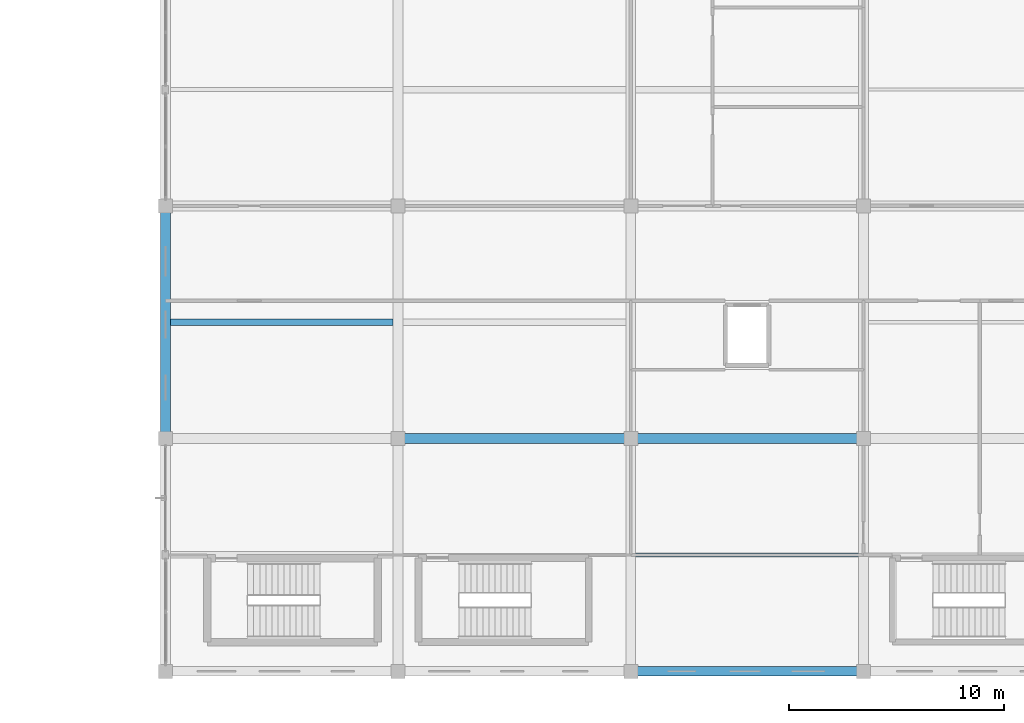
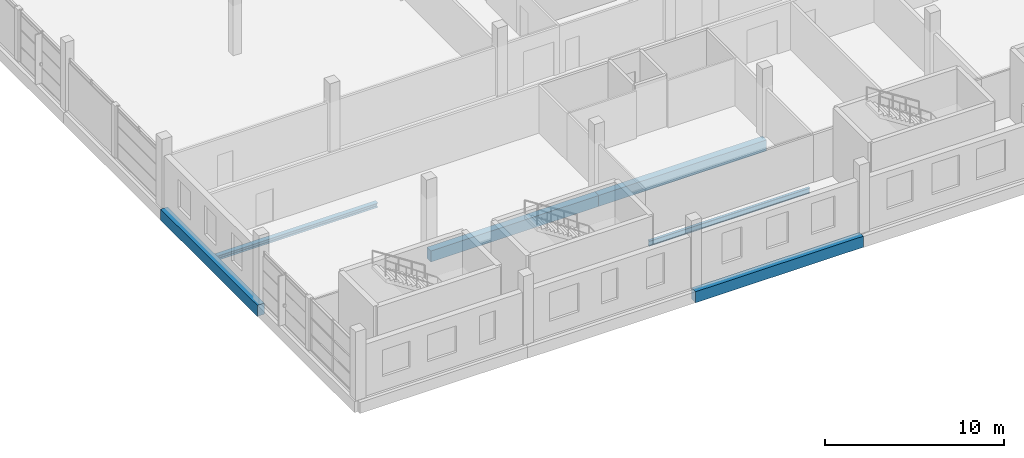
# One storey, part 4 of 24: 6 beams.
"""IFC4 building model written with IfcOpenShell, lengths in metres."""

import ifcopenshell
import ifcopenshell.guid

model = None  # the IFC model being written
_history = None  # IfcOwnerHistory: only IFC2X3 demands one
_inside = {}  # id of a spatial element -> (the spatial element, [elements in it])
_under = {}  # id of a project, library or spatial element -> (it, [spatial elements below it])
_declared = {}  # id of a project -> (the project, [libraries it declares])
_typed = {}  # id of a type object -> (the type object, [elements of that type])
_made_of = {}  # id of a material, layer set ... -> (it, [elements and type objects made of it])


def new_model(schema):
    """Start an empty IFC model of exactly this schema.

    Asked for "IFC4X3", IfcOpenShell would pick the latest addendum, in which some entities
    have other attributes; the version numbers below select the first issue.
    IFC2X3 requires an IfcOwnerHistory on every rooted entity: one is made here for all.
    """
    global model, _history
    if schema == "IFC4X3":
        model = ifcopenshell.file(schema_version=(4, 3, 0, 0))
    else:
        model = ifcopenshell.file(schema=schema)
    _inside.clear()
    _under.clear()
    _declared.clear()
    _typed.clear()
    _made_of.clear()
    _history = None
    if model.schema == "IFC2X3":
        org = make("IfcOrganization", Name="unknown")
        user = make(
            "IfcPersonAndOrganization",
            ThePerson=make("IfcPerson", FamilyName="unknown"),
            TheOrganization=org,
        )
        app = make(
            "IfcApplication",
            ApplicationDeveloper=org,
            Version="unknown",
            ApplicationFullName="unknown",
            ApplicationIdentifier="unknown",
        )
        _history = make(
            "IfcOwnerHistory",
            OwningUser=user,
            OwningApplication=app,
            ChangeAction="ADDED",
            CreationDate=0,
        )
    return model


def make(cls, **values):
    """One entity of the class cls with the attributes given. An attribute that is None is left unset."""
    return model.create_entity(
        cls, **{name: value for name, value in values.items() if value is not None}
    )


def rooted(cls, **values):
    """An entity with a GlobalId (a new one), such as an element, a storey or a relation."""
    return make(cls, GlobalId=ifcopenshell.guid.new(), OwnerHistory=_history, **values)


def si_unit(unit_type, name, prefix=None):
    """IfcSIUnit, for example si_unit("LENGTHUNIT", "METRE", prefix="MILLI")."""
    return make("IfcSIUnit", UnitType=unit_type, Prefix=prefix, Name=name)


def assignment(units):
    """IfcUnitAssignment: the units of a project."""
    return None if units is None else make("IfcUnitAssignment", Units=units)


def point(xyz):
    """IfcCartesianPoint."""
    return None if xyz is None else make("IfcCartesianPoint", Coordinates=xyz)


def direction(xyz):
    """IfcDirection."""
    return None if xyz is None else make("IfcDirection", DirectionRatios=xyz)


def frame(location, z_axis=None, x_axis=None):
    """IfcAxis2Placement3D, a coordinate frame: its origin and axes. An axis left out is left unset."""
    return make(
        "IfcAxis2Placement3D",
        Location=point(location),
        Axis=direction(z_axis),
        RefDirection=direction(x_axis),
    )


def frame_2d(location, x_axis=None):
    """IfcAxis2Placement2D, a coordinate frame in the plane: its origin and x axis."""
    return make(
        "IfcAxis2Placement2D", Location=point(location), RefDirection=direction(x_axis)
    )


def origin():
    """The frame at (0, 0, 0) with its axes left unset."""
    return frame((0.0, 0.0, 0.0))


def origin_2d():
    """The frame at (0, 0) in the plane with its x axis left unset."""
    return frame_2d((0.0, 0.0))


def place(relative_to, where):
    """IfcLocalPlacement: puts the frame where relative to a parent placement (None: the world)."""
    return make(
        "IfcLocalPlacement", PlacementRelTo=relative_to, RelativePlacement=where
    )


def context(
    kind, dimensions, precision=None, world=None, true_north=None, identifier=None
):
    """IfcGeometricRepresentationContext, for example the 3D "Model" context."""
    return make(
        "IfcGeometricRepresentationContext",
        ContextIdentifier=identifier,
        ContextType=kind,
        CoordinateSpaceDimension=dimensions,
        Precision=precision,
        WorldCoordinateSystem=world,
        TrueNorth=true_north,
    )


def subcontext(parent, identifier, kind, view, scale=None):
    """IfcGeometricRepresentationSubContext, for example "Body" below "Model"."""
    return make(
        "IfcGeometricRepresentationSubContext",
        ContextIdentifier=identifier,
        ContextType=kind,
        ParentContext=parent,
        TargetScale=scale,
        TargetView=view,
    )


def project(units=None, contexts=None):
    """IfcProject with its units and contexts."""
    return rooted(
        "IfcProject",
        Name="project",
        RepresentationContexts=contexts,
        UnitsInContext=assignment(units),
    )


def spatial(cls, under=None, at=None, **own):
    """A site, building, storey or space (cls), placed at a placement, below another one or the project."""
    s = rooted(cls, ObjectPlacement=at, **own)
    if under is not None:
        _under.setdefault(under.id(), (under, []))[1].append(s)
    return s


def profile(cls, at=None, kind="AREA", **sizes):
    """A parametric profile (cls). Its sizes go by their IFC names, for example OverallWidth=200.0."""
    return make(cls, ProfileType=kind, Position=at, **sizes)


def rectangle(**sizes):
    """IfcRectangleProfileDef."""
    return profile("IfcRectangleProfileDef", **sizes)


def i_section(**sizes):
    """IfcIShapeProfileDef."""
    return profile("IfcIShapeProfileDef", **sizes)


def extrude(swept, where, along, depth):
    """IfcExtrudedAreaSolid: the profile swept, set in the frame where, extruded along a direction by depth."""
    return make(
        "IfcExtrudedAreaSolid",
        SweptArea=swept,
        Position=where,
        ExtrudedDirection=direction(along),
        Depth=depth,
    )


def shape(context_of_items, identifier, shape_type, items):
    """IfcShapeRepresentation: the items that make up one representation, for example the "Body"."""
    return make(
        "IfcShapeRepresentation",
        ContextOfItems=context_of_items,
        RepresentationIdentifier=identifier,
        RepresentationType=shape_type,
        Items=items,
    )


def material(Name=None, Category=None):
    """IfcMaterial."""
    return make("IfcMaterial", Name=Name, Category=Category)


def material_profile(
    of_material, cross_section, Name=None, Category=None, Priority=None
):
    """IfcMaterialProfile: a cross section and its material."""
    return make(
        "IfcMaterialProfile",
        Name=Name,
        Material=of_material,
        Profile=cross_section,
        Priority=Priority,
        Category=Category,
    )


def profile_set(profiles, Name=None, composite=None):
    """IfcMaterialProfileSet."""
    return make(
        "IfcMaterialProfileSet",
        Name=Name,
        MaterialProfiles=profiles,
        CompositeProfile=composite,
    )


def made_of(thing, what):
    """Note that an element or type object is made of a material, layer set ...; save() writes the relation."""
    if what is not None:
        _made_of.setdefault(what.id(), (what, []))[1].append(thing)
    return thing


def type_object(cls, material=None, **own):
    """A type object (cls), such as IfcWallType, which elements share."""
    return made_of(rooted(cls, **own), material)


def element(
    cls,
    number,
    at=None,
    inside=None,
    cuts=None,
    type_object=None,
    material=None,
    context=None,
    identifier="Body",
    shape_type=None,
    held_by="IfcProductDefinitionShape",
    body=None,
    shapes=None,
    **own,
):
    """One element of the class cls, such as IfcWall. Its Tag is "e" and its number.

    at: its placement. inside: the storey or other place that contains it. cuts: it is an
    opening in that element (IfcRelVoidsElement). A single representation is given by context,
    identifier, shape_type and body (its items); several are given by shapes. held_by: the class
    of the entity that holds the representations. save() writes the other relations.
    """
    e = rooted(cls, Tag="e%d" % number, ObjectPlacement=at, **own)
    if body is not None:
        shapes = [shape(context, identifier, shape_type, body)]
    if shapes is not None:
        e.Representation = make(held_by, Representations=shapes)
    if inside is not None:
        _inside.setdefault(inside.id(), (inside, []))[1].append(e)
    if cuts is not None:
        rooted(
            "IfcRelVoidsElement", RelatingBuildingElement=cuts, RelatedOpeningElement=e
        )
    if type_object is not None:
        _typed.setdefault(type_object.id(), (type_object, []))[1].append(e)
    return made_of(e, material)


def aggregate(whole, parts):
    """IfcRelAggregates: a whole, such as a stair, and the parts it consists of."""
    return rooted("IfcRelAggregates", RelatingObject=whole, RelatedObjects=parts)


def save(model, path):
    """Write the relations noted so far, then the file.

    IfcRelAggregates (storeys below a building ...), IfcRelContainedInSpatialStructure (elements
    in a storey), IfcRelDefinesByType, IfcRelAssociatesMaterial and IfcRelDeclares: one each for
    every whole, place, type object, material and project.
    """
    for whole, parts in _under.values():
        aggregate(whole, parts)
    for where, things in _inside.values():
        rooted(
            "IfcRelContainedInSpatialStructure",
            RelatedElements=things,
            RelatingStructure=where,
        )
    for kind, things in _typed.values():
        rooted("IfcRelDefinesByType", RelatedObjects=things, RelatingType=kind)
    for what, things in _made_of.values():
        rooted("IfcRelAssociatesMaterial", RelatedObjects=things, RelatingMaterial=what)
    for by, libraries in _declared.values():
        rooted("IfcRelDeclares", RelatingContext=by, RelatedDefinitions=libraries)
    model.write(path)


model = new_model("IFC4")

# Units and contexts
model_context = context("Model", 3, precision=1e-05, world=origin(), true_north=direction((0.0, 1.0)))
body_context = subcontext(model_context, "Body", "Model", "MODEL_VIEW")
ifc_project = project(units=[si_unit("LENGTHUNIT", "METRE"), si_unit("AREAUNIT", "SQUARE_METRE"), si_unit("VOLUMEUNIT", "CUBIC_METRE"), si_unit("PLANEANGLEUNIT", "RADIAN"), si_unit("MASSUNIT", "GRAM", prefix="KILO")], contexts=[model_context])

# Site, building, storey
site_placement = place(None, origin())
site = spatial("IfcSite", under=ifc_project, at=site_placement, CompositionType="ELEMENT")
building_placement = place(site_placement, origin())
building = spatial("IfcBuilding", under=site, at=building_placement, Name="Zwinboog Wholesale Market", CompositionType="ELEMENT")
storey_placement = place(building_placement, frame((0.0, 0.0, 10.080078125)))
storey = spatial("IfcBuildingStorey", under=building, at=storey_placement, Name="L02", CompositionType="ELEMENT", Elevation=10.080078125)

# Beams
ifc_material_1 = material(Name="Precast concrete C45/55", Category="concrete")
ifc_material_profile_1 = material_profile(ifc_material_1, rectangle(XDim=0.449951171875, YDim=0.75, at=origin_2d()), Name="PC 450x750")
ifc_profile_set_1 = profile_set([ifc_material_profile_1], Name="Precast concrete C45/55")
beam_type_1 = type_object("IfcBeamType", Name="BT-04", PredefinedType="BEAM", material=ifc_profile_set_1)
for number, where, z_axis, x_axis, name in (
    (1, (151.199951171875, 0.0, -0.68017578125), (1.0, 0.0, 0.0), (0.0, 1.0, 0.0), "BG-04 (BMG-L02-1512-0000-0919)"),
    (2, (140.39990234375, 10.800048828125, -0.68017578125), (1.0, 0.0, 0.0), (0.0, 1.0, 0.0), "BG-04 (BMG-L02-1404-0108-0926)"),
    (3, (151.199951171875, 10.800048828125, -0.68017578125), (1.0, 0.0, 0.0), (0.0, 1.0, 0.0), "BG-04 (BMG-L02-1512-0108-0927)"),
    (4, (129.60009765625, 10.800048828125, -0.655029296875), (0.0, 1.0, 0.0), (-1.0, 0.0, 0.0), "BG-04 (BMG-L02-1296-0108-0954)"),
):
    element("IfcBeam", number, at=place(storey_placement, frame(where, z_axis=z_axis, x_axis=x_axis)), inside=storey, type_object=beam_type_1, Name=name, PredefinedType="BEAM", context=body_context, shape_type="SweptSolid", body=[
        extrude(rectangle(XDim=0.449951171875, YDim=0.75, at=origin_2d()), origin(), (0.0, 0.0, 1.0), 10.800048828125),
    ])
ifc_material_2 = material(Name="Steel S355", Category="steel")
ifc_material_profile_2 = material_profile(ifc_material_2, i_section(OverallWidth=0.300048828125, OverallDepth=0.2900390625, WebThickness=0.008544921875, FlangeThickness=0.013916015625, FilletRadius=0.027099609375, at=origin_2d()), Name="HEA 300")
ifc_profile_set_2 = profile_set([ifc_material_profile_2], Name="Steel S355")
beam_type_2 = type_object("IfcBeamType", Name="BT-18", PredefinedType="JOIST", material=ifc_profile_set_2)
beam_1_placement = place(storey_placement, frame((129.824951171875, 16.199951171875, -0.425048828125), z_axis=(1.0, 0.0, 0.0), x_axis=(0.0, 1.0, 0.0)))
element("IfcBeam", 5, at=beam_1_placement, inside=storey, type_object=beam_type_2, Name="SJ-01 (BMG-L02-1298-0162-0996)", PredefinedType="JOIST", context=body_context, shape_type="SweptSolid", body=[
    extrude(i_section(OverallWidth=0.300048828125, OverallDepth=0.2900390625, WebThickness=0.008544921875, FlangeThickness=0.013916015625, FilletRadius=0.027099609375, at=origin_2d()), origin(), (0.0, 0.0, 1.0), 10.35009765625),
])
ifc_material_profile_3 = material_profile(ifc_material_2, i_section(OverallWidth=0.169921875, OverallDepth=0.360107421875, WebThickness=0.008056640625, FlangeThickness=0.0126953125, FilletRadius=0.01806640625, at=origin_2d()), Name="IPE 360")
ifc_profile_set_3 = profile_set([ifc_material_profile_3], Name="Steel S355")
beam_type_3 = type_object("IfcBeamType", Name="BT-20", PredefinedType="JOIST", material=ifc_profile_set_3)
beam_2_placement = place(storey_placement, frame((151.425048828125, 5.39990234375, -0.485107421875), z_axis=(1.0, 0.0, 0.0), x_axis=(0.0, 1.0, 0.0)))
element("IfcBeam", 6, at=beam_2_placement, inside=storey, type_object=beam_type_3, Name="SJ-03 (BMG-L02-1514-0054-1003)", PredefinedType="JOIST", context=body_context, shape_type="SweptSolid", body=[
    extrude(i_section(OverallWidth=0.169921875, OverallDepth=0.360107421875, WebThickness=0.008056640625, FlangeThickness=0.0126953125, FilletRadius=0.01806640625, at=origin_2d()), origin(), (0.0, 0.0, 1.0), 10.349853515625),
])

save(model, "model.ifc")
